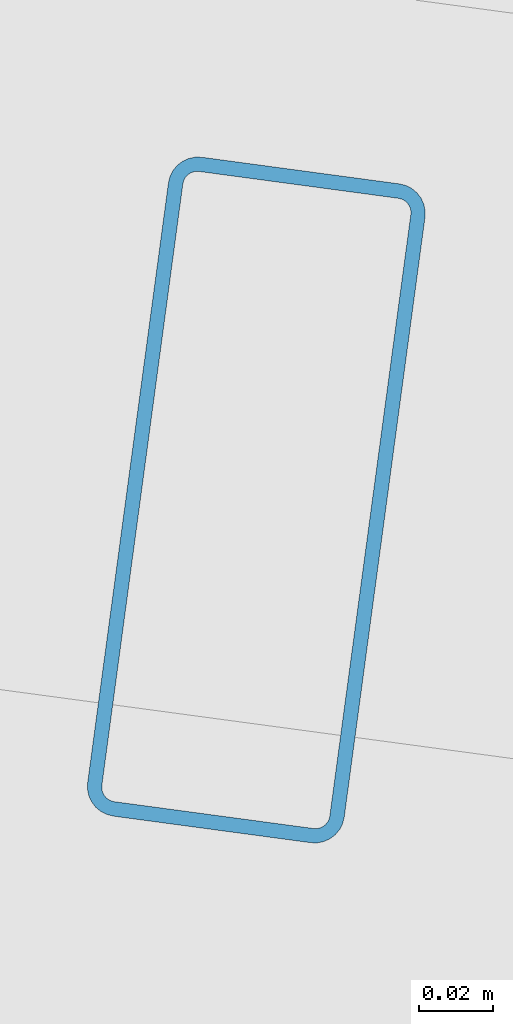
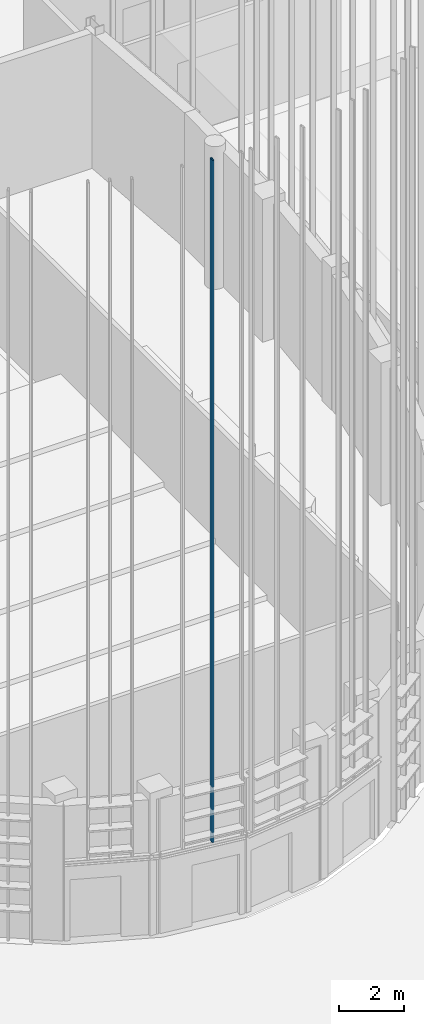
# One storey, part 33 of 372: 1 member.
"""IFC4 building model written with IfcOpenShell, lengths in metres."""

from ifc_helpers import new_model, si_unit, direction, frame, origin, origin_2d, place, context, subcontext, project, spatial, hollow_rectangle, extrude, material, material_profile, profile_set, type_object, element, save


model = new_model("IFC4")

# Units and contexts
model_context = context("Model", 3, precision=1e-05, world=origin(), true_north=direction((0.0, 1.0)))
body_context = subcontext(model_context, "Body", "Model", "MODEL_VIEW")
ifc_project = project(units=[si_unit("LENGTHUNIT", "METRE"), si_unit("AREAUNIT", "SQUARE_METRE"), si_unit("VOLUMEUNIT", "CUBIC_METRE"), si_unit("PLANEANGLEUNIT", "RADIAN"), si_unit("MASSUNIT", "GRAM", prefix="KILO")], contexts=[model_context])

# Site, building, storey
site_placement = place(None, origin())
site = spatial("IfcSite", under=ifc_project, at=site_placement, CompositionType="ELEMENT")
building_placement = place(site_placement, origin())
building = spatial("IfcBuilding", under=site, at=building_placement, Name="Kaelora Sail Theatre", CompositionType="ELEMENT")
storey_placement = place(building_placement, origin())
storey = spatial("IfcBuildingStorey", under=building, at=storey_placement, Name="L00", CompositionType="ELEMENT", Elevation=0.0)

# Member
ifc_material = material(Name="Anodised aluminium 6063-T6", Category="aluminium")
ifc_material_profile = material_profile(ifc_material, hollow_rectangle(XDim=0.070068359375, YDim=0.179931640625, WallThickness=0.00390625, InnerFilletRadius=0.00390625, OuterFilletRadius=0.008056640625, at=origin_2d()), Name="ALU-MULL 70x180x4")
ifc_profile_set = profile_set([ifc_material_profile], Name="Anodised aluminium 6063-T6")
member_type = type_object("IfcMemberType", Name="ARC-MEM-PST-160", PredefinedType="POST", material=ifc_profile_set)
member_placement = place(storey_placement, frame((40.8369140625, 23.694091796875, 3.10009765625), z_axis=(0.0, 0.0, 1.0), x_axis=(-0.991053218872, 0.133467289485, 0.0)))
element("IfcMember", 1, at=member_placement, inside=storey, type_object=member_type, Name="Main Theatre Sail Drum solar louvre vertical support post C12-2", PredefinedType="POST", context=body_context, shape_type="SweptSolid", body=[
    extrude(hollow_rectangle(XDim=0.070068359375, YDim=0.179931640625, WallThickness=0.00390625, InnerFilletRadius=0.00390625, OuterFilletRadius=0.008056640625, at=origin_2d()), origin(), (0.0, 0.0, 1.0), 25.814453125),
])

save(model, "model.ifc")
